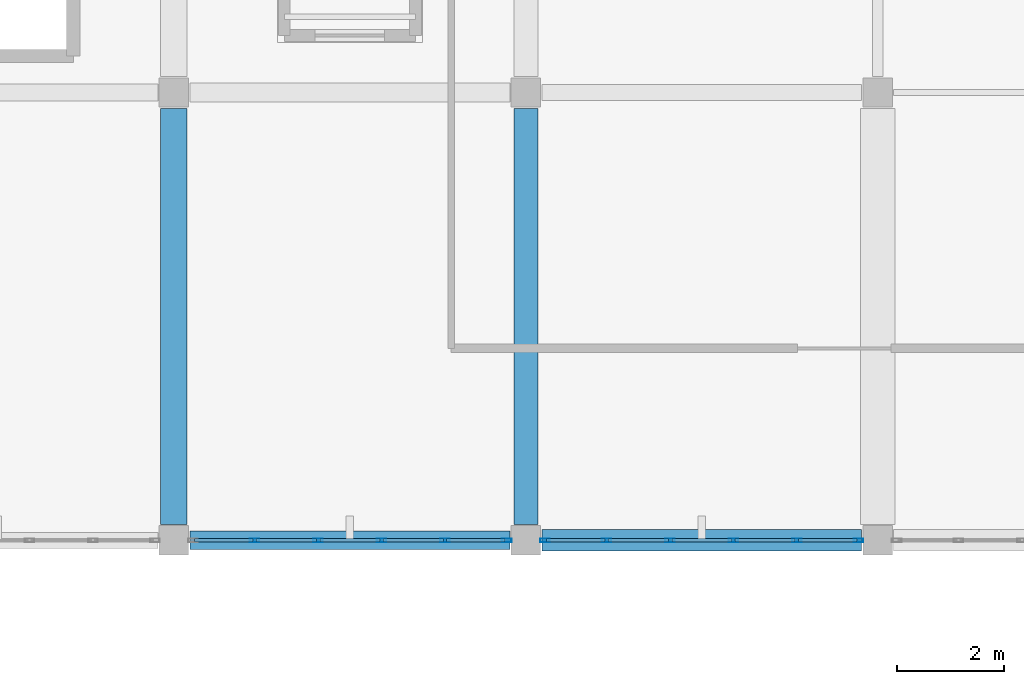
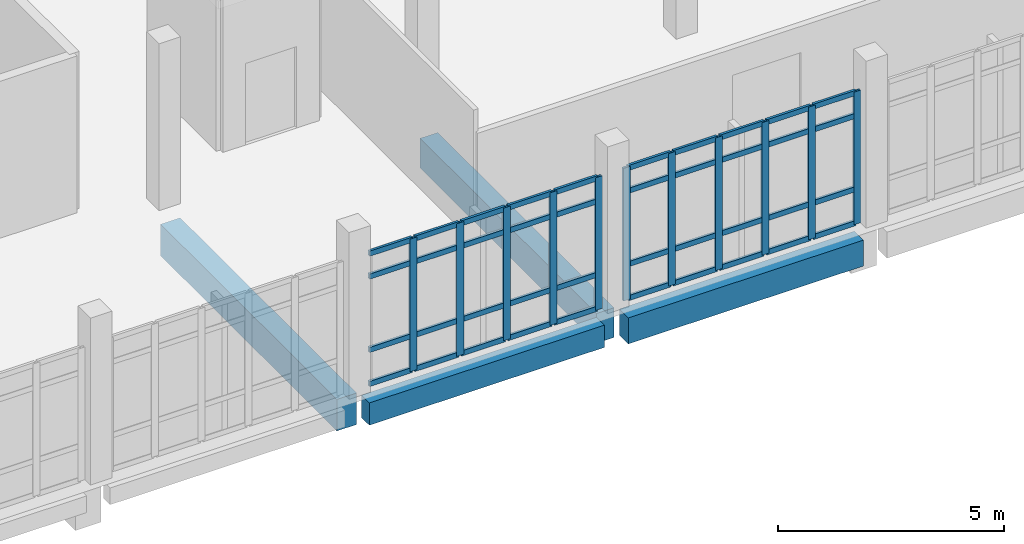
# One storey, part 84 of 134: 51 members, 4 beams, 2 elements without a shape of their own.
"""IFC4 building model written with IfcOpenShell, lengths in metres."""

from ifc_helpers import new_model, si_unit, direction, frame, origin, origin_2d, place, context, subcontext, project, spatial, rectangle, hollow_rectangle, extrude, material, material_profile, profile_set, type_object, element, aggregate, save


model = new_model("IFC4")

# Units and contexts
model_context = context("Model", 3, precision=1e-05, world=origin(), true_north=direction((0.0, 1.0)))
body_context = subcontext(model_context, "Body", "Model", "MODEL_VIEW")
ifc_project = project(units=[si_unit("LENGTHUNIT", "METRE"), si_unit("AREAUNIT", "SQUARE_METRE"), si_unit("VOLUMEUNIT", "CUBIC_METRE"), si_unit("PLANEANGLEUNIT", "RADIAN"), si_unit("MASSUNIT", "GRAM", prefix="KILO")], contexts=[model_context])

# Site, building, storey
site_placement = place(None, origin())
site = spatial("IfcSite", under=ifc_project, at=site_placement, CompositionType="ELEMENT")
building_placement = place(site_placement, origin())
building = spatial("IfcBuilding", under=site, at=building_placement, Name="Kalluvel Institute of Natural Sciences", CompositionType="ELEMENT")
storey_placement = place(building_placement, frame((0.0, 0.0, 5.39990234375)))
storey = spatial("IfcBuildingStorey", under=building, at=storey_placement, Name="L01", CompositionType="ELEMENT", Elevation=5.39990234375)

# Beams
ifc_material_1 = material(Name="Concrete M40", Category="concrete")
ifc_material_profile_1 = material_profile(ifc_material_1, rectangle(XDim=0.449951171875, YDim=0.800048828125, at=origin_2d()), Name="RCB 450x800")
ifc_profile_set_1 = profile_set([ifc_material_profile_1], Name="Concrete M40")
beam_type_1 = type_object("IfcBeamType", Name="BM-RC450x800", PredefinedType="BEAM", material=ifc_profile_set_1)
beam_1_placement = place(storey_placement, frame((168.800048828125, 103.10009765625, -0.760009765625), z_axis=(0.0, 1.0, 0.0), x_axis=(-1.0, 0.0, 0.0)))
element("IfcBeam", 1, at=beam_1_placement, inside=storey, type_object=beam_type_1, Name="L01 girder GIR-L01-NS-X1688-Y1028", PredefinedType="BEAM", context=body_context, shape_type="SweptSolid", body=[
    extrude(rectangle(XDim=0.449951171875, YDim=0.800048828125, at=origin_2d()), origin(), (0.0, 0.0, 1.0), 7.7998046875),
])
ifc_material_2 = material(Name="Concrete M50", Category="concrete")
ifc_material_profile_2 = material_profile(ifc_material_2, rectangle(XDim=0.5, YDim=0.85009765625, at=origin_2d()), Name="RCB 500x850")
ifc_profile_set_2 = profile_set([ifc_material_profile_2], Name="Concrete M50")
beam_type_2 = type_object("IfcBeamType", Name="BM-RC500x850", PredefinedType="BEAM", material=ifc_profile_set_2)
beam_2_placement = place(storey_placement, frame((162.199951171875, 103.10009765625, -0.784912109375), z_axis=(0.0, 1.0, 0.0), x_axis=(-1.0, 0.0, 0.0)))
element("IfcBeam", 2, at=beam_2_placement, inside=storey, type_object=beam_type_2, Name="L01 girder GIR-L01-NS-X1622-Y1028", PredefinedType="BEAM", context=body_context, shape_type="SweptSolid", body=[
    extrude(rectangle(XDim=0.5, YDim=0.85009765625, at=origin_2d()), origin(), (0.0, 0.0, 1.0), 7.7998046875),
])

# Curtain wall, members
ifc_material_3 = material(Name="Aluminium AW-6063 T6", Category="aluminium")
curtain_wall_type = type_object("IfcCurtainWallType", Name="CW-CLN-45", PredefinedType="USERDEFINED", material=ifc_material_3)
curtain_wall_1_placement = place(storey_placement, origin())
curtain_wall_1 = element("IfcCurtainWall", 3, at=curtain_wall_1_placement, inside=storey, type_object=curtain_wall_type, Name="L01 Gothic lancet curtain wall CWA-L01-X1625-Y1028", ObjectType="UNITISED LANCET FACADE", PredefinedType="USERDEFINED")
ifc_material_profile_3 = material_profile(ifc_material_3, hollow_rectangle(XDim=0.06494140625, YDim=0.179931640625, WallThickness=0.00439453125, at=origin_2d()), Name="CWM 65x180")
ifc_profile_set_3 = profile_set([ifc_material_profile_3], Name="Aluminium AW-6063 T6")
member_type_1 = type_object("IfcMemberType", Name="CWM-65x180", PredefinedType="MULLION", material=ifc_profile_set_3)
member_1_placement = place(storey_placement, frame((163.715087890625, 102.800048828125, 0.0), z_axis=(0.0, 0.0, 1.0), x_axis=(0.0, 1.0, 0.0)))
member_1 = element("IfcMember", 4, at=member_1_placement, type_object=member_type_1, Name="CW-08 mullion 2", PredefinedType="MULLION", context=body_context, shape_type="SweptSolid", body=[
    extrude(hollow_rectangle(XDim=0.06494140625, YDim=0.179931640625, WallThickness=0.00439453125, at=origin_2d()), origin(), (0.0, 0.0, 1.0), 3.580078125),
])
member_2_placement = place(storey_placement, frame((164.905029296875, 102.800048828125, 0.0), z_axis=(0.0, 0.0, 1.0), x_axis=(0.0, 1.0, 0.0)))
member_2 = element("IfcMember", 5, at=member_2_placement, type_object=member_type_1, Name="CW-08 mullion 3", PredefinedType="MULLION", context=body_context, shape_type="SweptSolid", body=[
    extrude(hollow_rectangle(XDim=0.06494140625, YDim=0.179931640625, WallThickness=0.00439453125, at=origin_2d()), origin(), (0.0, 0.0, 1.0), 3.580078125),
])
member_3_placement = place(storey_placement, frame((166.094970703125, 102.800048828125, 0.0), z_axis=(0.0, 0.0, 1.0), x_axis=(0.0, 1.0, 0.0)))
member_3 = element("IfcMember", 6, at=member_3_placement, type_object=member_type_1, Name="CW-08 mullion 4", PredefinedType="MULLION", context=body_context, shape_type="SweptSolid", body=[
    extrude(hollow_rectangle(XDim=0.06494140625, YDim=0.179931640625, WallThickness=0.00439453125, at=origin_2d()), origin(), (0.0, 0.0, 1.0), 3.580078125),
])
member_4_placement = place(storey_placement, frame((167.284912109375, 102.800048828125, 0.0), z_axis=(0.0, 0.0, 1.0), x_axis=(0.0, 1.0, 0.0)))
member_4 = element("IfcMember", 7, at=member_4_placement, type_object=member_type_1, Name="CW-08 mullion 5", PredefinedType="MULLION", context=body_context, shape_type="SweptSolid", body=[
    extrude(hollow_rectangle(XDim=0.06494140625, YDim=0.179931640625, WallThickness=0.00439453125, at=origin_2d()), origin(), (0.0, 0.0, 1.0), 3.580078125),
])
member_5_placement = place(storey_placement, frame((168.4423828125, 102.800048828125, 0.0), z_axis=(0.0, 0.0, 1.0), x_axis=(0.0, 1.0, 0.0)))
member_5 = element("IfcMember", 8, at=member_5_placement, type_object=member_type_1, Name="CW-08 mullion 6", PredefinedType="MULLION", context=body_context, shape_type="SweptSolid", body=[
    extrude(hollow_rectangle(XDim=0.06494140625, YDim=0.179931640625, WallThickness=0.00439453125, at=origin_2d()), origin(), (0.0, 0.0, 1.0), 3.580078125),
])

curtain_wall_2_placement = place(storey_placement, origin())
curtain_wall_2 = element("IfcCurtainWall", 9, at=curtain_wall_2_placement, inside=storey, type_object=curtain_wall_type, Name="L01 Gothic lancet curtain wall CWA-L01-X1691-Y1028", ObjectType="UNITISED LANCET FACADE", PredefinedType="USERDEFINED")
member_6_placement = place(storey_placement, frame((169.157470703125, 102.800048828125, 0.0), z_axis=(0.0, 0.0, 1.0), x_axis=(0.0, 1.0, 0.0)))
member_6 = element("IfcMember", 10, at=member_6_placement, type_object=member_type_1, Name="CW-08 mullion 1", PredefinedType="MULLION", context=body_context, shape_type="SweptSolid", body=[
    extrude(hollow_rectangle(XDim=0.06494140625, YDim=0.179931640625, WallThickness=0.00439453125, at=origin_2d()), origin(), (0.0, 0.0, 1.0), 3.580078125),
])
member_7_placement = place(storey_placement, frame((170.31494140625, 102.800048828125, 0.0), z_axis=(0.0, 0.0, 1.0), x_axis=(0.0, 1.0, 0.0)))
member_7 = element("IfcMember", 11, at=member_7_placement, type_object=member_type_1, Name="CW-08 mullion 2", PredefinedType="MULLION", context=body_context, shape_type="SweptSolid", body=[
    extrude(hollow_rectangle(XDim=0.06494140625, YDim=0.179931640625, WallThickness=0.00439453125, at=origin_2d()), origin(), (0.0, 0.0, 1.0), 3.580078125),
])
member_8_placement = place(storey_placement, frame((171.5048828125, 102.800048828125, 0.0), z_axis=(0.0, 0.0, 1.0), x_axis=(0.0, 1.0, 0.0)))
member_8 = element("IfcMember", 12, at=member_8_placement, type_object=member_type_1, Name="CW-08 mullion 3", PredefinedType="MULLION", context=body_context, shape_type="SweptSolid", body=[
    extrude(hollow_rectangle(XDim=0.06494140625, YDim=0.179931640625, WallThickness=0.00439453125, at=origin_2d()), origin(), (0.0, 0.0, 1.0), 3.580078125),
])
member_9_placement = place(storey_placement, frame((172.695068359375, 102.800048828125, 0.0), z_axis=(0.0, 0.0, 1.0), x_axis=(0.0, 1.0, 0.0)))
member_9 = element("IfcMember", 13, at=member_9_placement, type_object=member_type_1, Name="CW-08 mullion 4", PredefinedType="MULLION", context=body_context, shape_type="SweptSolid", body=[
    extrude(hollow_rectangle(XDim=0.06494140625, YDim=0.179931640625, WallThickness=0.00439453125, at=origin_2d()), origin(), (0.0, 0.0, 1.0), 3.580078125),
])
member_10_placement = place(storey_placement, frame((173.885009765625, 102.800048828125, 0.0), z_axis=(0.0, 0.0, 1.0), x_axis=(0.0, 1.0, 0.0)))
member_10 = element("IfcMember", 14, at=member_10_placement, type_object=member_type_1, Name="CW-08 mullion 5", PredefinedType="MULLION", context=body_context, shape_type="SweptSolid", body=[
    extrude(hollow_rectangle(XDim=0.06494140625, YDim=0.179931640625, WallThickness=0.00439453125, at=origin_2d()), origin(), (0.0, 0.0, 1.0), 3.580078125),
])
member_11_placement = place(storey_placement, frame((175.04248046875, 102.800048828125, 0.0), z_axis=(0.0, 0.0, 1.0), x_axis=(0.0, 1.0, 0.0)))
member_11 = element("IfcMember", 15, at=member_11_placement, type_object=member_type_1, Name="CW-08 mullion 6", PredefinedType="MULLION", context=body_context, shape_type="SweptSolid", body=[
    extrude(hollow_rectangle(XDim=0.06494140625, YDim=0.179931640625, WallThickness=0.00439453125, at=origin_2d()), origin(), (0.0, 0.0, 1.0), 3.580078125),
])

# Member
ifc_material_profile_4 = material_profile(ifc_material_3, hollow_rectangle(XDim=0.06494140625, YDim=0.139892578125, WallThickness=0.00439453125, at=origin_2d()), Name="CWT 65x140")
ifc_profile_set_4 = profile_set([ifc_material_profile_4], Name="Aluminium AW-6063 T6")
member_type_2 = type_object("IfcMemberType", Name="CWT-65x140", PredefinedType="USERDEFINED", material=ifc_profile_set_4)
member_12_placement = place(storey_placement, frame((162.590087890625, 102.800048828125, 0.03271484375), z_axis=(1.0, 0.0, 0.0), x_axis=(0.0, 1.0, 0.0)))
member_12 = element("IfcMember", 16, at=member_12_placement, type_object=member_type_2, Name="CW-08 transom 1.1", ObjectType="TRANSOM", PredefinedType="USERDEFINED", context=body_context, shape_type="SweptSolid", body=[
    extrude(hollow_rectangle(XDim=0.06494140625, YDim=0.139892578125, WallThickness=0.00439453125, at=origin_2d()), origin(), (0.0, 0.0, 1.0), 1.092529296875),
])

member_13_placement = place(storey_placement, frame((162.590087890625, 102.800048828125, 0.9501953125), z_axis=(1.0, 0.0, 0.0), x_axis=(0.0, 1.0, 0.0)))
member_13 = element("IfcMember", 17, at=member_13_placement, type_object=member_type_2, Name="CW-08 transom 1.2", ObjectType="TRANSOM", PredefinedType="USERDEFINED", context=body_context, shape_type="SweptSolid", body=[
    extrude(hollow_rectangle(XDim=0.06494140625, YDim=0.139892578125, WallThickness=0.00439453125, at=origin_2d()), origin(), (0.0, 0.0, 1.0), 1.092529296875),
])

member_14_placement = place(storey_placement, frame((162.590087890625, 102.800048828125, 2.93017578125), z_axis=(1.0, 0.0, 0.0), x_axis=(0.0, 1.0, 0.0)))
member_14 = element("IfcMember", 18, at=member_14_placement, type_object=member_type_2, Name="CW-08 transom 1.3", ObjectType="TRANSOM", PredefinedType="USERDEFINED", context=body_context, shape_type="SweptSolid", body=[
    extrude(hollow_rectangle(XDim=0.06494140625, YDim=0.139892578125, WallThickness=0.00439453125, at=origin_2d()), origin(), (0.0, 0.0, 1.0), 1.092529296875),
])

member_15_placement = place(storey_placement, frame((162.590087890625, 102.800048828125, 3.547607421875), z_axis=(1.0, 0.0, 0.0), x_axis=(0.0, 1.0, 0.0)))
member_15 = element("IfcMember", 19, at=member_15_placement, type_object=member_type_2, Name="CW-08 transom 1.4", ObjectType="TRANSOM", PredefinedType="USERDEFINED", context=body_context, shape_type="SweptSolid", body=[
    extrude(hollow_rectangle(XDim=0.06494140625, YDim=0.139892578125, WallThickness=0.00439453125, at=origin_2d()), origin(), (0.0, 0.0, 1.0), 1.092529296875),
])

member_16_placement = place(storey_placement, frame((163.74755859375, 102.800048828125, 0.03271484375), z_axis=(1.0, 0.0, 0.0), x_axis=(0.0, 1.0, 0.0)))
member_16 = element("IfcMember", 20, at=member_16_placement, type_object=member_type_2, Name="CW-08 transom 2.1", ObjectType="TRANSOM", PredefinedType="USERDEFINED", context=body_context, shape_type="SweptSolid", body=[
    extrude(hollow_rectangle(XDim=0.06494140625, YDim=0.139892578125, WallThickness=0.00439453125, at=origin_2d()), origin(), (0.0, 0.0, 1.0), 1.125),
])

member_17_placement = place(storey_placement, frame((163.74755859375, 102.800048828125, 0.9501953125), z_axis=(1.0, 0.0, 0.0), x_axis=(0.0, 1.0, 0.0)))
member_17 = element("IfcMember", 21, at=member_17_placement, type_object=member_type_2, Name="CW-08 transom 2.2", ObjectType="TRANSOM", PredefinedType="USERDEFINED", context=body_context, shape_type="SweptSolid", body=[
    extrude(hollow_rectangle(XDim=0.06494140625, YDim=0.139892578125, WallThickness=0.00439453125, at=origin_2d()), origin(), (0.0, 0.0, 1.0), 1.125),
])

member_18_placement = place(storey_placement, frame((163.74755859375, 102.800048828125, 2.93017578125), z_axis=(1.0, 0.0, 0.0), x_axis=(0.0, 1.0, 0.0)))
member_18 = element("IfcMember", 22, at=member_18_placement, type_object=member_type_2, Name="CW-08 transom 2.3", ObjectType="TRANSOM", PredefinedType="USERDEFINED", context=body_context, shape_type="SweptSolid", body=[
    extrude(hollow_rectangle(XDim=0.06494140625, YDim=0.139892578125, WallThickness=0.00439453125, at=origin_2d()), origin(), (0.0, 0.0, 1.0), 1.125),
])

member_19_placement = place(storey_placement, frame((163.74755859375, 102.800048828125, 3.547607421875), z_axis=(1.0, 0.0, 0.0), x_axis=(0.0, 1.0, 0.0)))
member_19 = element("IfcMember", 23, at=member_19_placement, type_object=member_type_2, Name="CW-08 transom 2.4", ObjectType="TRANSOM", PredefinedType="USERDEFINED", context=body_context, shape_type="SweptSolid", body=[
    extrude(hollow_rectangle(XDim=0.06494140625, YDim=0.139892578125, WallThickness=0.00439453125, at=origin_2d()), origin(), (0.0, 0.0, 1.0), 1.125),
])

member_20_placement = place(storey_placement, frame((164.9375, 102.800048828125, 0.03271484375), z_axis=(1.0, 0.0, 0.0), x_axis=(0.0, 1.0, 0.0)))
member_20 = element("IfcMember", 24, at=member_20_placement, type_object=member_type_2, Name="CW-08 transom 3.1", ObjectType="TRANSOM", PredefinedType="USERDEFINED", context=body_context, shape_type="SweptSolid", body=[
    extrude(hollow_rectangle(XDim=0.06494140625, YDim=0.139892578125, WallThickness=0.00439453125, at=origin_2d()), origin(), (0.0, 0.0, 1.0), 1.125),
])

member_21_placement = place(storey_placement, frame((164.9375, 102.800048828125, 0.9501953125), z_axis=(1.0, 0.0, 0.0), x_axis=(0.0, 1.0, 0.0)))
member_21 = element("IfcMember", 25, at=member_21_placement, type_object=member_type_2, Name="CW-08 transom 3.2", ObjectType="TRANSOM", PredefinedType="USERDEFINED", context=body_context, shape_type="SweptSolid", body=[
    extrude(hollow_rectangle(XDim=0.06494140625, YDim=0.139892578125, WallThickness=0.00439453125, at=origin_2d()), origin(), (0.0, 0.0, 1.0), 1.125),
])

member_22_placement = place(storey_placement, frame((164.9375, 102.800048828125, 2.93017578125), z_axis=(1.0, 0.0, 0.0), x_axis=(0.0, 1.0, 0.0)))
member_22 = element("IfcMember", 26, at=member_22_placement, type_object=member_type_2, Name="CW-08 transom 3.3", ObjectType="TRANSOM", PredefinedType="USERDEFINED", context=body_context, shape_type="SweptSolid", body=[
    extrude(hollow_rectangle(XDim=0.06494140625, YDim=0.139892578125, WallThickness=0.00439453125, at=origin_2d()), origin(), (0.0, 0.0, 1.0), 1.125),
])

member_23_placement = place(storey_placement, frame((164.9375, 102.800048828125, 3.547607421875), z_axis=(1.0, 0.0, 0.0), x_axis=(0.0, 1.0, 0.0)))
member_23 = element("IfcMember", 27, at=member_23_placement, type_object=member_type_2, Name="CW-08 transom 3.4", ObjectType="TRANSOM", PredefinedType="USERDEFINED", context=body_context, shape_type="SweptSolid", body=[
    extrude(hollow_rectangle(XDim=0.06494140625, YDim=0.139892578125, WallThickness=0.00439453125, at=origin_2d()), origin(), (0.0, 0.0, 1.0), 1.125),
])

member_24_placement = place(storey_placement, frame((166.12744140625, 102.800048828125, 0.03271484375), z_axis=(1.0, 0.0, 0.0), x_axis=(0.0, 1.0, 0.0)))
member_24 = element("IfcMember", 28, at=member_24_placement, type_object=member_type_2, Name="CW-08 transom 4.1", ObjectType="TRANSOM", PredefinedType="USERDEFINED", context=body_context, shape_type="SweptSolid", body=[
    extrude(hollow_rectangle(XDim=0.06494140625, YDim=0.139892578125, WallThickness=0.00439453125, at=origin_2d()), origin(), (0.0, 0.0, 1.0), 1.125),
])

member_25_placement = place(storey_placement, frame((166.12744140625, 102.800048828125, 0.9501953125), z_axis=(1.0, 0.0, 0.0), x_axis=(0.0, 1.0, 0.0)))
member_25 = element("IfcMember", 29, at=member_25_placement, type_object=member_type_2, Name="CW-08 transom 4.2", ObjectType="TRANSOM", PredefinedType="USERDEFINED", context=body_context, shape_type="SweptSolid", body=[
    extrude(hollow_rectangle(XDim=0.06494140625, YDim=0.139892578125, WallThickness=0.00439453125, at=origin_2d()), origin(), (0.0, 0.0, 1.0), 1.125),
])

member_26_placement = place(storey_placement, frame((166.12744140625, 102.800048828125, 2.93017578125), z_axis=(1.0, 0.0, 0.0), x_axis=(0.0, 1.0, 0.0)))
member_26 = element("IfcMember", 30, at=member_26_placement, type_object=member_type_2, Name="CW-08 transom 4.3", ObjectType="TRANSOM", PredefinedType="USERDEFINED", context=body_context, shape_type="SweptSolid", body=[
    extrude(hollow_rectangle(XDim=0.06494140625, YDim=0.139892578125, WallThickness=0.00439453125, at=origin_2d()), origin(), (0.0, 0.0, 1.0), 1.125),
])

member_27_placement = place(storey_placement, frame((166.12744140625, 102.800048828125, 3.547607421875), z_axis=(1.0, 0.0, 0.0), x_axis=(0.0, 1.0, 0.0)))
member_27 = element("IfcMember", 31, at=member_27_placement, type_object=member_type_2, Name="CW-08 transom 4.4", ObjectType="TRANSOM", PredefinedType="USERDEFINED", context=body_context, shape_type="SweptSolid", body=[
    extrude(hollow_rectangle(XDim=0.06494140625, YDim=0.139892578125, WallThickness=0.00439453125, at=origin_2d()), origin(), (0.0, 0.0, 1.0), 1.125),
])

member_28_placement = place(storey_placement, frame((167.3173828125, 102.800048828125, 0.03271484375), z_axis=(1.0, 0.0, 0.0), x_axis=(0.0, 1.0, 0.0)))
member_28 = element("IfcMember", 32, at=member_28_placement, type_object=member_type_2, Name="CW-08 transom 5.1", ObjectType="TRANSOM", PredefinedType="USERDEFINED", context=body_context, shape_type="SweptSolid", body=[
    extrude(hollow_rectangle(XDim=0.06494140625, YDim=0.139892578125, WallThickness=0.00439453125, at=origin_2d()), origin(), (0.0, 0.0, 1.0), 1.092529296875),
])

member_29_placement = place(storey_placement, frame((167.3173828125, 102.800048828125, 0.9501953125), z_axis=(1.0, 0.0, 0.0), x_axis=(0.0, 1.0, 0.0)))
member_29 = element("IfcMember", 33, at=member_29_placement, type_object=member_type_2, Name="CW-08 transom 5.2", ObjectType="TRANSOM", PredefinedType="USERDEFINED", context=body_context, shape_type="SweptSolid", body=[
    extrude(hollow_rectangle(XDim=0.06494140625, YDim=0.139892578125, WallThickness=0.00439453125, at=origin_2d()), origin(), (0.0, 0.0, 1.0), 1.092529296875),
])

member_30_placement = place(storey_placement, frame((167.3173828125, 102.800048828125, 2.93017578125), z_axis=(1.0, 0.0, 0.0), x_axis=(0.0, 1.0, 0.0)))
member_30 = element("IfcMember", 34, at=member_30_placement, type_object=member_type_2, Name="CW-08 transom 5.3", ObjectType="TRANSOM", PredefinedType="USERDEFINED", context=body_context, shape_type="SweptSolid", body=[
    extrude(hollow_rectangle(XDim=0.06494140625, YDim=0.139892578125, WallThickness=0.00439453125, at=origin_2d()), origin(), (0.0, 0.0, 1.0), 1.092529296875),
])

member_31_placement = place(storey_placement, frame((167.3173828125, 102.800048828125, 3.547607421875), z_axis=(1.0, 0.0, 0.0), x_axis=(0.0, 1.0, 0.0)))
member_31 = element("IfcMember", 35, at=member_31_placement, type_object=member_type_2, Name="CW-08 transom 5.4", ObjectType="TRANSOM", PredefinedType="USERDEFINED", context=body_context, shape_type="SweptSolid", body=[
    extrude(hollow_rectangle(XDim=0.06494140625, YDim=0.139892578125, WallThickness=0.00439453125, at=origin_2d()), origin(), (0.0, 0.0, 1.0), 1.092529296875),
])

aggregate(curtain_wall_1, [member_1, member_2, member_3, member_4, member_5, member_12, member_13, member_14, member_15, member_16, member_17, member_18, member_19, member_20, member_21, member_22, member_23, member_24, member_25, member_26, member_27, member_28, member_29, member_30, member_31])

member_32_placement = place(storey_placement, frame((169.18994140625, 102.800048828125, 0.03271484375), z_axis=(1.0, 0.0, 0.0), x_axis=(0.0, 1.0, 0.0)))
member_32 = element("IfcMember", 36, at=member_32_placement, type_object=member_type_2, Name="CW-08 transom 1.1", ObjectType="TRANSOM", PredefinedType="USERDEFINED", context=body_context, shape_type="SweptSolid", body=[
    extrude(hollow_rectangle(XDim=0.06494140625, YDim=0.139892578125, WallThickness=0.00439453125, at=origin_2d()), origin(), (0.0, 0.0, 1.0), 1.092529296875),
])

member_33_placement = place(storey_placement, frame((169.18994140625, 102.800048828125, 0.9501953125), z_axis=(1.0, 0.0, 0.0), x_axis=(0.0, 1.0, 0.0)))
member_33 = element("IfcMember", 37, at=member_33_placement, type_object=member_type_2, Name="CW-08 transom 1.2", ObjectType="TRANSOM", PredefinedType="USERDEFINED", context=body_context, shape_type="SweptSolid", body=[
    extrude(hollow_rectangle(XDim=0.06494140625, YDim=0.139892578125, WallThickness=0.00439453125, at=origin_2d()), origin(), (0.0, 0.0, 1.0), 1.092529296875),
])

member_34_placement = place(storey_placement, frame((169.18994140625, 102.800048828125, 2.93017578125), z_axis=(1.0, 0.0, 0.0), x_axis=(0.0, 1.0, 0.0)))
member_34 = element("IfcMember", 38, at=member_34_placement, type_object=member_type_2, Name="CW-08 transom 1.3", ObjectType="TRANSOM", PredefinedType="USERDEFINED", context=body_context, shape_type="SweptSolid", body=[
    extrude(hollow_rectangle(XDim=0.06494140625, YDim=0.139892578125, WallThickness=0.00439453125, at=origin_2d()), origin(), (0.0, 0.0, 1.0), 1.092529296875),
])

member_35_placement = place(storey_placement, frame((169.18994140625, 102.800048828125, 3.547607421875), z_axis=(1.0, 0.0, 0.0), x_axis=(0.0, 1.0, 0.0)))
member_35 = element("IfcMember", 39, at=member_35_placement, type_object=member_type_2, Name="CW-08 transom 1.4", ObjectType="TRANSOM", PredefinedType="USERDEFINED", context=body_context, shape_type="SweptSolid", body=[
    extrude(hollow_rectangle(XDim=0.06494140625, YDim=0.139892578125, WallThickness=0.00439453125, at=origin_2d()), origin(), (0.0, 0.0, 1.0), 1.092529296875),
])

member_36_placement = place(storey_placement, frame((170.347412109375, 102.800048828125, 0.03271484375), z_axis=(1.0, 0.0, 0.0), x_axis=(0.0, 1.0, 0.0)))
member_36 = element("IfcMember", 40, at=member_36_placement, type_object=member_type_2, Name="CW-08 transom 2.1", ObjectType="TRANSOM", PredefinedType="USERDEFINED", context=body_context, shape_type="SweptSolid", body=[
    extrude(hollow_rectangle(XDim=0.06494140625, YDim=0.139892578125, WallThickness=0.00439453125, at=origin_2d()), origin(), (0.0, 0.0, 1.0), 1.125),
])

member_37_placement = place(storey_placement, frame((170.347412109375, 102.800048828125, 0.9501953125), z_axis=(1.0, 0.0, 0.0), x_axis=(0.0, 1.0, 0.0)))
member_37 = element("IfcMember", 41, at=member_37_placement, type_object=member_type_2, Name="CW-08 transom 2.2", ObjectType="TRANSOM", PredefinedType="USERDEFINED", context=body_context, shape_type="SweptSolid", body=[
    extrude(hollow_rectangle(XDim=0.06494140625, YDim=0.139892578125, WallThickness=0.00439453125, at=origin_2d()), origin(), (0.0, 0.0, 1.0), 1.125),
])

member_38_placement = place(storey_placement, frame((170.347412109375, 102.800048828125, 2.93017578125), z_axis=(1.0, 0.0, 0.0), x_axis=(0.0, 1.0, 0.0)))
member_38 = element("IfcMember", 42, at=member_38_placement, type_object=member_type_2, Name="CW-08 transom 2.3", ObjectType="TRANSOM", PredefinedType="USERDEFINED", context=body_context, shape_type="SweptSolid", body=[
    extrude(hollow_rectangle(XDim=0.06494140625, YDim=0.139892578125, WallThickness=0.00439453125, at=origin_2d()), origin(), (0.0, 0.0, 1.0), 1.125),
])

member_39_placement = place(storey_placement, frame((170.347412109375, 102.800048828125, 3.547607421875), z_axis=(1.0, 0.0, 0.0), x_axis=(0.0, 1.0, 0.0)))
member_39 = element("IfcMember", 43, at=member_39_placement, type_object=member_type_2, Name="CW-08 transom 2.4", ObjectType="TRANSOM", PredefinedType="USERDEFINED", context=body_context, shape_type="SweptSolid", body=[
    extrude(hollow_rectangle(XDim=0.06494140625, YDim=0.139892578125, WallThickness=0.00439453125, at=origin_2d()), origin(), (0.0, 0.0, 1.0), 1.125),
])

member_40_placement = place(storey_placement, frame((171.53759765625, 102.800048828125, 0.03271484375), z_axis=(1.0, 0.0, 0.0), x_axis=(0.0, 1.0, 0.0)))
member_40 = element("IfcMember", 44, at=member_40_placement, type_object=member_type_2, Name="CW-08 transom 3.1", ObjectType="TRANSOM", PredefinedType="USERDEFINED", context=body_context, shape_type="SweptSolid", body=[
    extrude(hollow_rectangle(XDim=0.06494140625, YDim=0.139892578125, WallThickness=0.00439453125, at=origin_2d()), origin(), (0.0, 0.0, 1.0), 1.125),
])

member_41_placement = place(storey_placement, frame((171.53759765625, 102.800048828125, 0.9501953125), z_axis=(1.0, 0.0, 0.0), x_axis=(0.0, 1.0, 0.0)))
member_41 = element("IfcMember", 45, at=member_41_placement, type_object=member_type_2, Name="CW-08 transom 3.2", ObjectType="TRANSOM", PredefinedType="USERDEFINED", context=body_context, shape_type="SweptSolid", body=[
    extrude(hollow_rectangle(XDim=0.06494140625, YDim=0.139892578125, WallThickness=0.00439453125, at=origin_2d()), origin(), (0.0, 0.0, 1.0), 1.125),
])

member_42_placement = place(storey_placement, frame((171.53759765625, 102.800048828125, 2.93017578125), z_axis=(1.0, 0.0, 0.0), x_axis=(0.0, 1.0, 0.0)))
member_42 = element("IfcMember", 46, at=member_42_placement, type_object=member_type_2, Name="CW-08 transom 3.3", ObjectType="TRANSOM", PredefinedType="USERDEFINED", context=body_context, shape_type="SweptSolid", body=[
    extrude(hollow_rectangle(XDim=0.06494140625, YDim=0.139892578125, WallThickness=0.00439453125, at=origin_2d()), origin(), (0.0, 0.0, 1.0), 1.125),
])

member_43_placement = place(storey_placement, frame((171.53759765625, 102.800048828125, 3.547607421875), z_axis=(1.0, 0.0, 0.0), x_axis=(0.0, 1.0, 0.0)))
member_43 = element("IfcMember", 47, at=member_43_placement, type_object=member_type_2, Name="CW-08 transom 3.4", ObjectType="TRANSOM", PredefinedType="USERDEFINED", context=body_context, shape_type="SweptSolid", body=[
    extrude(hollow_rectangle(XDim=0.06494140625, YDim=0.139892578125, WallThickness=0.00439453125, at=origin_2d()), origin(), (0.0, 0.0, 1.0), 1.125),
])

member_44_placement = place(storey_placement, frame((172.7275390625, 102.800048828125, 0.03271484375), z_axis=(1.0, 0.0, 0.0), x_axis=(0.0, 1.0, 0.0)))
member_44 = element("IfcMember", 48, at=member_44_placement, type_object=member_type_2, Name="CW-08 transom 4.1", ObjectType="TRANSOM", PredefinedType="USERDEFINED", context=body_context, shape_type="SweptSolid", body=[
    extrude(hollow_rectangle(XDim=0.06494140625, YDim=0.139892578125, WallThickness=0.00439453125, at=origin_2d()), origin(), (0.0, 0.0, 1.0), 1.125),
])

member_45_placement = place(storey_placement, frame((172.7275390625, 102.800048828125, 0.9501953125), z_axis=(1.0, 0.0, 0.0), x_axis=(0.0, 1.0, 0.0)))
member_45 = element("IfcMember", 49, at=member_45_placement, type_object=member_type_2, Name="CW-08 transom 4.2", ObjectType="TRANSOM", PredefinedType="USERDEFINED", context=body_context, shape_type="SweptSolid", body=[
    extrude(hollow_rectangle(XDim=0.06494140625, YDim=0.139892578125, WallThickness=0.00439453125, at=origin_2d()), origin(), (0.0, 0.0, 1.0), 1.125),
])

member_46_placement = place(storey_placement, frame((172.7275390625, 102.800048828125, 2.93017578125), z_axis=(1.0, 0.0, 0.0), x_axis=(0.0, 1.0, 0.0)))
member_46 = element("IfcMember", 50, at=member_46_placement, type_object=member_type_2, Name="CW-08 transom 4.3", ObjectType="TRANSOM", PredefinedType="USERDEFINED", context=body_context, shape_type="SweptSolid", body=[
    extrude(hollow_rectangle(XDim=0.06494140625, YDim=0.139892578125, WallThickness=0.00439453125, at=origin_2d()), origin(), (0.0, 0.0, 1.0), 1.125),
])

member_47_placement = place(storey_placement, frame((172.7275390625, 102.800048828125, 3.547607421875), z_axis=(1.0, 0.0, 0.0), x_axis=(0.0, 1.0, 0.0)))
member_47 = element("IfcMember", 51, at=member_47_placement, type_object=member_type_2, Name="CW-08 transom 4.4", ObjectType="TRANSOM", PredefinedType="USERDEFINED", context=body_context, shape_type="SweptSolid", body=[
    extrude(hollow_rectangle(XDim=0.06494140625, YDim=0.139892578125, WallThickness=0.00439453125, at=origin_2d()), origin(), (0.0, 0.0, 1.0), 1.125),
])

member_48_placement = place(storey_placement, frame((173.91748046875, 102.800048828125, 0.03271484375), z_axis=(1.0, 0.0, 0.0), x_axis=(0.0, 1.0, 0.0)))
member_48 = element("IfcMember", 52, at=member_48_placement, type_object=member_type_2, Name="CW-08 transom 5.1", ObjectType="TRANSOM", PredefinedType="USERDEFINED", context=body_context, shape_type="SweptSolid", body=[
    extrude(hollow_rectangle(XDim=0.06494140625, YDim=0.139892578125, WallThickness=0.00439453125, at=origin_2d()), origin(), (0.0, 0.0, 1.0), 1.092529296875),
])

member_49_placement = place(storey_placement, frame((173.91748046875, 102.800048828125, 0.9501953125), z_axis=(1.0, 0.0, 0.0), x_axis=(0.0, 1.0, 0.0)))
member_49 = element("IfcMember", 53, at=member_49_placement, type_object=member_type_2, Name="CW-08 transom 5.2", ObjectType="TRANSOM", PredefinedType="USERDEFINED", context=body_context, shape_type="SweptSolid", body=[
    extrude(hollow_rectangle(XDim=0.06494140625, YDim=0.139892578125, WallThickness=0.00439453125, at=origin_2d()), origin(), (0.0, 0.0, 1.0), 1.092529296875),
])

member_50_placement = place(storey_placement, frame((173.91748046875, 102.800048828125, 2.93017578125), z_axis=(1.0, 0.0, 0.0), x_axis=(0.0, 1.0, 0.0)))
member_50 = element("IfcMember", 54, at=member_50_placement, type_object=member_type_2, Name="CW-08 transom 5.3", ObjectType="TRANSOM", PredefinedType="USERDEFINED", context=body_context, shape_type="SweptSolid", body=[
    extrude(hollow_rectangle(XDim=0.06494140625, YDim=0.139892578125, WallThickness=0.00439453125, at=origin_2d()), origin(), (0.0, 0.0, 1.0), 1.092529296875),
])

member_51_placement = place(storey_placement, frame((173.91748046875, 102.800048828125, 3.547607421875), z_axis=(1.0, 0.0, 0.0), x_axis=(0.0, 1.0, 0.0)))
member_51 = element("IfcMember", 55, at=member_51_placement, type_object=member_type_2, Name="CW-08 transom 5.4", ObjectType="TRANSOM", PredefinedType="USERDEFINED", context=body_context, shape_type="SweptSolid", body=[
    extrude(hollow_rectangle(XDim=0.06494140625, YDim=0.139892578125, WallThickness=0.00439453125, at=origin_2d()), origin(), (0.0, 0.0, 1.0), 1.092529296875),
])

aggregate(curtain_wall_2, [member_6, member_7, member_8, member_9, member_10, member_11, member_32, member_33, member_34, member_35, member_36, member_37, member_38, member_39, member_40, member_41, member_42, member_43, member_44, member_45, member_46, member_47, member_48, member_49, member_50, member_51])

# Beams
ifc_material_profile_5 = material_profile(ifc_material_1, rectangle(XDim=0.35009765625, YDim=0.60009765625, at=origin_2d()), Name="RCB 350x600")
ifc_profile_set_5 = profile_set([ifc_material_profile_5], Name="Concrete M40")
beam_type_3 = type_object("IfcBeamType", Name="SP-RC350x600", PredefinedType="SPANDREL", material=ifc_profile_set_5)
beam_3_placement = place(storey_placement, frame((162.5, 102.800048828125, -0.659912109375), z_axis=(1.0, 0.0, 0.0), x_axis=(0.0, 1.0, 0.0)))
element("IfcBeam", 56, at=beam_3_placement, inside=storey, type_object=beam_type_3, Name="L01 girder GIR-L01-EW-X1622-Y1028", PredefinedType="SPANDREL", context=body_context, shape_type="SweptSolid", body=[
    extrude(rectangle(XDim=0.35009765625, YDim=0.60009765625, at=origin_2d()), origin(), (0.0, 0.0, 1.0), 6.0),
])
ifc_material_profile_6 = material_profile(ifc_material_1, rectangle(XDim=0.39990234375, YDim=0.699951171875, at=origin_2d()), Name="RCB 400x700")
ifc_profile_set_6 = profile_set([ifc_material_profile_6], Name="Concrete M40")
beam_type_4 = type_object("IfcBeamType", Name="SP-RC400x700", PredefinedType="SPANDREL", material=ifc_profile_set_6)
beam_4_placement = place(storey_placement, frame((169.10009765625, 102.800048828125, -0.7099609375), z_axis=(1.0, 0.0, 0.0), x_axis=(0.0, 1.0, 0.0)))
element("IfcBeam", 57, at=beam_4_placement, inside=storey, type_object=beam_type_4, Name="L01 girder GIR-L01-EW-X1688-Y1028", PredefinedType="SPANDREL", context=body_context, shape_type="SweptSolid", body=[
    extrude(rectangle(XDim=0.39990234375, YDim=0.699951171875, at=origin_2d()), origin(), (0.0, 0.0, 1.0), 6.0),
])

save(model, "model.ifc")
